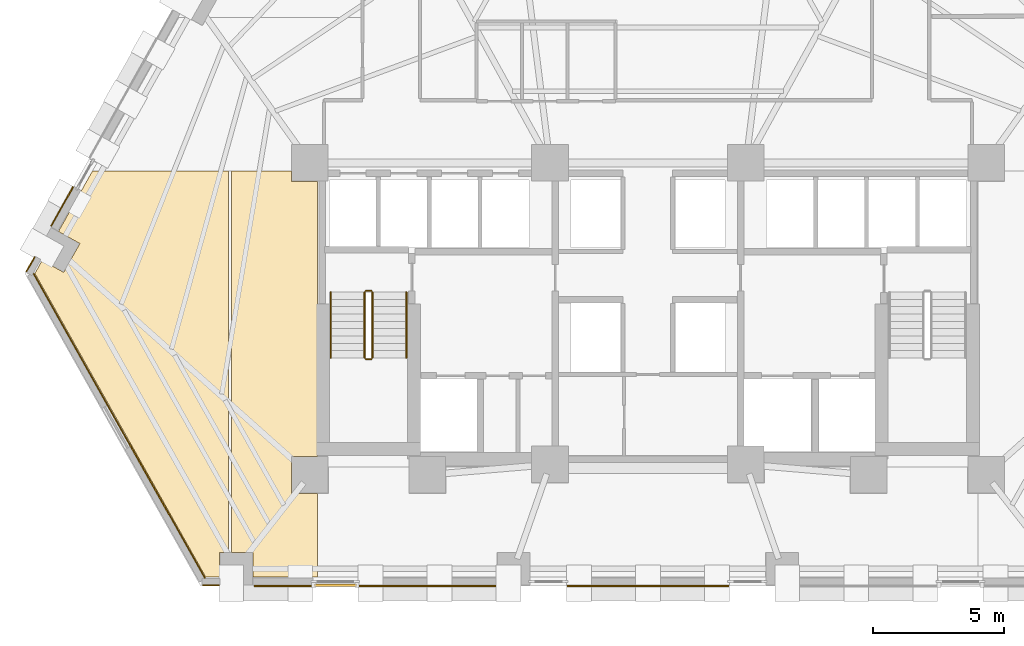
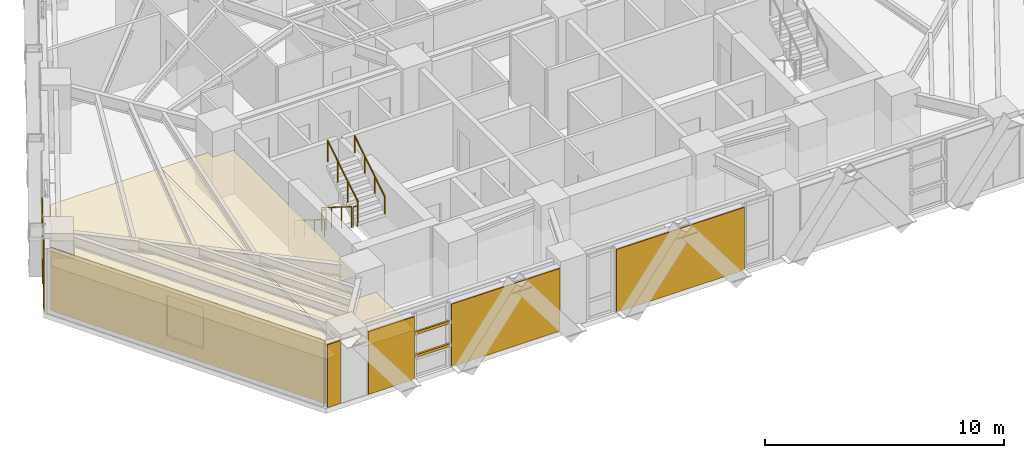
# One storey, part 10 of 13: 9 coverings, 6 railings, 2 shading devices.
"""IFC4 building model written with IfcOpenShell, lengths in metres."""

from ifc_helpers import new_model, si_unit, direction, frame, origin, origin_2d, place, context, subcontext, project, spatial, polyline, rectangle, circle, outline, extrude, material, layer, layer_set, material_profile, profile_set, type_object, element, save


model = new_model("IFC4")

# Units and contexts
model_context = context("Model", 3, precision=1e-05, world=origin(), true_north=direction((0.0, 1.0)))
body_context = subcontext(model_context, "Body", "Model", "MODEL_VIEW")
ifc_project = project(units=[si_unit("LENGTHUNIT", "METRE"), si_unit("AREAUNIT", "SQUARE_METRE"), si_unit("VOLUMEUNIT", "CUBIC_METRE"), si_unit("PLANEANGLEUNIT", "RADIAN"), si_unit("MASSUNIT", "GRAM", prefix="KILO")], contexts=[model_context])

# Site, building, storey
site_placement = place(None, origin())
site = spatial("IfcSite", under=ifc_project, at=site_placement, CompositionType="ELEMENT")
building_placement = place(site_placement, origin())
building = spatial("IfcBuilding", under=site, at=building_placement, Name="Quenlor Broadcast Tower", CompositionType="ELEMENT")
storey_placement = place(building_placement, frame((0.0, 0.0, 45.10009765625)))
storey = spatial("IfcBuildingStorey", under=building, at=storey_placement, Name="L11", CompositionType="ELEMENT", Elevation=45.10009765625)

# Coverings
ifc_material_1 = material(Name="Acoustic Mineral Fibre Board", Category="other")
ifc_layer_1 = layer(ifc_material_1, 0.02490234375)
ifc_layer_set_1 = layer_set([ifc_layer_1], Name="Acoustic Perforated Mineral Tile Ceiling 25")
covering_type_1 = type_object("IfcCoveringType", Name="Acoustic Perforated Mineral Tile Ceiling 25", PredefinedType="CEILING", material=ifc_layer_set_1)
covering_1_placement = place(storey_placement, frame((0.0, 0.0, 2.224853515625)))
element("IfcCovering", 1, at=covering_1_placement, inside=storey, type_object=covering_type_1, Name="L11 Acoustic Ceiling L11-38-3", PredefinedType="CEILING", context=body_context, shape_type="SweptSolid", body=[
    extrude(outline(polyline([(-13.657958984375, -5.508056640625), (-12.64990234375, -5.508056640625), (-12.64990234375, -16.0419921875), (-13.657958984375, -16.0419921875), (-13.657958984375, -17.4580078125), (-12.64990234375, -17.4580078125), (-12.64990234375, -20.659912109375), (-15.132080078125, -20.659912109375), (-15.132080078125, -19.717041015625), (-15.93994140625, -19.717041015625), (-15.93994140625, -5.1201171875), (-13.657958984375, -5.1201171875), (-13.657958984375, -5.508056640625)])), origin(), (0.0, 0.0, 1.0), 0.025146484375),
])
covering_2_placement = place(storey_placement, frame((0.0, 0.0, 2.224853515625)))
element("IfcCovering", 2, at=covering_2_placement, inside=storey, type_object=covering_type_1, Name="L11 Acoustic Ceiling L11-38-4", PredefinedType="CEILING", context=body_context, shape_type="SweptSolid", body=[
    extrude(outline(polyline([(-16.06005859375, -19.717041015625), (-16.398193359375, -19.717041015625), (-16.398193359375, -20.659912109375), (-16.937255859375, -20.659912109375), (-23.477783203125, -9.031982421875), (-23.196533203125, -8.531982421875), (-22.374755859375, -8.994140625), (-21.754150390625, -7.890625), (-22.575927734375, -7.428466796875), (-21.27734375, -5.1201171875), (-16.06005859375, -5.1201171875), (-16.06005859375, -19.717041015625)])), origin(), (0.0, 0.0, 1.0), 0.025146484375),
])

# Shading devices
ifc_material_2 = material(Name="Architectural Terracotta Ceramic", Category="masonry")
ifc_material_profile = material_profile(ifc_material_2, rectangle(XDim=0.090087890625, YDim=0.139892578125, at=origin_2d()))
ifc_profile_set = profile_set([ifc_material_profile], Name="Architectural Terracotta Ceramic BAG90x140")
shading_device_type = type_object("IfcShadingDeviceType", Name="Copper Terracotta Baguette Solar Screen 140", PredefinedType="USERDEFINED", material=ifc_profile_set)
for number, where, z_axis, x_axis, name in (
    (3, (-11.146484375, -20.98291015625, 1.169921875), (-1.0, 0.0, 0.0), (0.0, -1.0, 0.0), "L11 Terracotta Baguette Screen 1"),
    (4, (-11.146484375, -20.98291015625, 2.33984375), (-1.0, 0.0, 0.0), (0.0, -1.0, 0.0), "L11 Terracotta Baguette Screen 2"),
):
    element("IfcShadingDevice", number, at=place(storey_placement, frame(where, z_axis=z_axis, x_axis=x_axis)), inside=storey, type_object=shading_device_type, Name=name, ObjectType="BAGUETTE", PredefinedType="USERDEFINED", context=body_context, shape_type="SweptSolid", body=[
        extrude(rectangle(XDim=0.090087890625, YDim=0.139892578125, at=origin_2d()), origin(), (0.0, 0.0, 1.0), 1.6484375),
    ])

# Coverings
ifc_material_3 = material(Name="Architectural Terracotta Ceramic", Category="masonry")
ifc_layer_2 = layer(ifc_material_3, 0.044921875)
ifc_layer_set_2 = layer_set([ifc_layer_2], Name="Fluted Terracotta Rainscreen Cladding Panel")
covering_type_2 = type_object("IfcCoveringType", Name="Fluted Terracotta Rainscreen Cladding Panel", PredefinedType="CLADDING", material=ifc_layer_set_2)
covering_3_placement = place(storey_placement, frame((0.0, 0.0, 0.02001953125)))
element("IfcCovering", 5, at=covering_3_placement, inside=storey, type_object=covering_type_2, Name="L11 Terracotta Rainscreen Cladding L11-SHD-SS1", PredefinedType="CLADDING", context=body_context, shape_type="SweptSolid", body=[
    extrude(outline(polyline([(-16.425048828125, -20.951904296875), (-17.0458984375, -20.951904296875), (-17.0458984375, -20.9970703125), (-16.425048828125, -20.9970703125), (-16.425048828125, -20.951904296875)])), origin(), (0.0, 0.0, 1.0), 3.2099609375),
])
covering_4_placement = place(storey_placement, frame((0.0, 0.0, 0.02001953125)))
element("IfcCovering", 6, at=covering_4_placement, inside=storey, type_object=covering_type_2, Name="L11 Terracotta Rainscreen Cladding L11-SC-SP1", PredefinedType="CLADDING", context=body_context, shape_type="SweptSolid", body=[
    extrude(outline(polyline([(-5.82080078125, -20.98193359375), (-11.07666015625, -20.98193359375), (-11.07666015625, -21.027099609375), (-5.82080078125, -21.027099609375), (-5.82080078125, -20.98193359375)])), origin(), (0.0, 0.0, 1.0), 3.2099609375),
])
covering_5_placement = place(storey_placement, frame((0.0, 0.0, 0.02001953125)))
element("IfcCovering", 7, at=covering_5_placement, inside=storey, type_object=covering_type_2, Name="L11 Terracotta Rainscreen Cladding L11-SC-SP2", PredefinedType="CLADDING", context=body_context, shape_type="SweptSolid", body=[
    extrude(outline(polyline([(-12.864990234375, -20.98193359375), (-15.085205078125, -20.98193359375), (-15.085205078125, -21.027099609375), (-12.864990234375, -21.027099609375), (-12.864990234375, -20.98193359375)])), origin(), (0.0, 0.0, 1.0), 3.2099609375),
])
covering_6_placement = place(storey_placement, frame((0.0, 0.0, 0.02001953125)))
element("IfcCovering", 8, at=covering_6_placement, inside=storey, type_object=covering_type_2, Name="L11 Terracotta Rainscreen Cladding L11-S-SP1", PredefinedType="CLADDING", context=body_context, shape_type="SweptSolid", body=[
    extrude(outline(polyline([(3.09619140625, -20.98193359375), (-3.09619140625, -20.98193359375), (-3.09619140625, -21.027099609375), (3.09619140625, -21.027099609375), (3.09619140625, -20.98193359375)])), origin(), (0.0, 0.0, 1.0), 3.2099609375),
])
covering_7_placement = place(storey_placement, frame((0.0, 0.0, 0.02001953125)))
element("IfcCovering", 9, at=covering_7_placement, inside=storey, type_object=covering_type_2, Name="L11 Terracotta Rainscreen Cladding L11-SHD-NWS0", PredefinedType="CLADDING", context=body_context, shape_type="SweptSolid", body=[
    extrude(outline(polyline([(-23.781982421875, -8.97705078125), (-23.464111328125, -8.412109375), (-23.50341796875, -8.39013671875), (-23.8212890625, -8.955078125), (-23.781982421875, -8.97705078125)])), origin(), (0.0, 0.0, 1.0), 3.2099609375),
])
covering_8_placement = place(storey_placement, frame((0.0, 0.0, 0.02001953125)))
element("IfcCovering", 10, at=covering_8_placement, inside=storey, type_object=covering_type_2, Name="L11 Terracotta Rainscreen Cladding L11-NWA-SP1", PredefinedType="CLADDING", context=body_context, shape_type="SweptSolid", body=[
    extrude(outline(polyline([(-22.83349609375, -7.2294921875), (-21.988525390625, -5.727294921875), (-22.027587890625, -5.705322265625), (-22.872802734375, -7.20751953125), (-22.83349609375, -7.2294921875)])), origin(), (0.0, 0.0, 1.0), 3.2099609375),
])
covering_9_placement = place(storey_placement, frame((0.0, 0.0, 0.02001953125)))
element("IfcCovering", 11, at=covering_9_placement, inside=storey, type_object=covering_type_2, Name="L11 Terracotta Rainscreen Cladding L11-CNR-04", PredefinedType="CLADDING", context=body_context, shape_type="SweptSolid", body=[
    extrude(outline(polyline([(-23.547607421875, -9.046875), (-16.98388671875, -20.71533203125), (-16.94482421875, -20.693359375), (-23.50830078125, -9.02490234375), (-23.547607421875, -9.046875)])), origin(), (0.0, 0.0, 1.0), 3.2099609375),
])

# Railings
ifc_material_4 = material(Name="Anodised Aluminium", Category="aluminium")
railing_type_1 = type_object("IfcRailingType", Name="Stainless Aluminium Wall Handrail 900", PredefinedType="HANDRAIL", material=ifc_material_4)
railing_1_placement = place(storey_placement, frame((-12.14990234375, -9.75, 0.1748046875)))
element("IfcRailing", 12, at=railing_1_placement, inside=storey, type_object=railing_type_1, Name="L11 ST-1 stair handrail 1", PredefinedType="HANDRAIL", context=body_context, shape_type="SweptSolid", body=[
    extrude(circle(Radius=0.02392578125, at=origin_2d()), frame((0.0, 0.0, 0.8759765625), z_axis=(0.0, -0.847970611238, 0.530043245855), x_axis=(1.0, 0.0, 0.0)), (0.0, 0.0, 1.0), 2.971923828125),
    extrude(circle(Radius=0.02099609375, at=origin_2d()), origin(), (0.0, 0.0, 1.0), 0.851806640625),
    extrude(circle(Radius=0.02099609375, at=origin_2d()), frame((0.0, -0.840087890625, 0.525146484375)), (0.0, 0.0, 1.0), 0.851806640625),
    extrude(circle(Radius=0.02099609375, at=origin_2d()), frame((0.0, -1.679931640625, 1.050048828125)), (0.0, 0.0, 1.0), 0.851806640625),
    extrude(circle(Radius=0.02099609375, at=origin_2d()), frame((0.0, -2.52001953125, 1.5751953125)), (0.0, 0.0, 1.0), 0.851806640625),
])
railing_2_placement = place(storey_placement, frame((-9.25, -12.27001953125, 1.9248046875)))
element("IfcRailing", 13, at=railing_2_placement, inside=storey, type_object=railing_type_1, Name="L11 ST-1 stair handrail 2", PredefinedType="HANDRAIL", context=body_context, shape_type="SweptSolid", body=[
    extrude(circle(Radius=0.02392578125, at=origin_2d()), frame((0.0, 0.0, 0.8759765625), z_axis=(0.0, 0.847970611238, 0.530043245855), x_axis=(-1.0, 0.0, 0.0)), (0.0, 0.0, 1.0), 2.971923828125),
    extrude(circle(Radius=0.02099609375, at=origin_2d()), origin(), (0.0, 0.0, 1.0), 0.851806640625),
    extrude(circle(Radius=0.02099609375, at=origin_2d()), frame((0.0, 0.840087890625, 0.525146484375)), (0.0, 0.0, 1.0), 0.851806640625),
    extrude(circle(Radius=0.02099609375, at=origin_2d()), frame((0.0, 1.679931640625, 1.050048828125)), (0.0, 0.0, 1.0), 0.851806640625),
    extrude(circle(Radius=0.02099609375, at=origin_2d()), frame((0.0, 2.52001953125, 1.5751953125)), (0.0, 0.0, 1.0), 0.851806640625),
])
ifc_material_5 = material(Name="Steel S355", Category="steel")
railing_type_2 = type_object("IfcRailingType", Name="Tubular Steel S355 Stair Guardrail 1100", PredefinedType="BALUSTRADE", material=ifc_material_5)
railing_3_placement = place(storey_placement, frame((-10.85009765625, -9.75, 0.1748046875)))
element("IfcRailing", 14, at=railing_3_placement, inside=storey, type_object=railing_type_2, Name="L11 ST-1 stair guard 1", PredefinedType="BALUSTRADE", context=body_context, shape_type="SweptSolid", body=[
    extrude(circle(Radius=0.02392578125, at=origin_2d()), frame((0.0, 0.0, 1.076171875), z_axis=(0.0, -0.847970611238, 0.530043245855), x_axis=(1.0, 0.0, 0.0)), (0.0, 0.0, 1.0), 2.971923828125),
    extrude(circle(Radius=0.02099609375, at=origin_2d()), origin(), (0.0, 0.0, 1.0), 1.052001953125),
    extrude(circle(Radius=0.02099609375, at=origin_2d()), frame((0.0, -0.840087890625, 0.525146484375)), (0.0, 0.0, 1.0), 1.052001953125),
    extrude(circle(Radius=0.02099609375, at=origin_2d()), frame((0.0, -1.679931640625, 1.050048828125)), (0.0, 0.0, 1.0), 1.052001953125),
    extrude(circle(Radius=0.02099609375, at=origin_2d()), frame((0.0, -2.52001953125, 1.5751953125)), (0.0, 0.0, 1.0), 1.052001953125),
])
railing_4_placement = place(storey_placement, frame((-10.800048828125, -12.320068359375, 1.75)))
element("IfcRailing", 15, at=railing_4_placement, inside=storey, type_object=railing_type_2, Name="L11 ST-1 stair guard 2", PredefinedType="BALUSTRADE", context=body_context, shape_type="SweptSolid", body=[
    extrude(circle(Radius=0.02392578125, at=origin_2d()), frame((0.0, 0.0, 1.076171875), z_axis=(1.0, 0.0, 0.0), x_axis=(0.0, 1.0, 0.0)), (0.0, 0.0, 1.0), 0.199951171875),
    extrude(circle(Radius=0.02099609375, at=origin_2d()), origin(), (0.0, 0.0, 1.0), 1.052001953125),
    extrude(circle(Radius=0.02099609375, at=origin_2d()), frame((0.199951171875, 0.0, 0.0)), (0.0, 0.0, 1.0), 1.052001953125),
])
railing_5_placement = place(storey_placement, frame((-10.550048828125, -12.27001953125, 1.9248046875)))
element("IfcRailing", 16, at=railing_5_placement, inside=storey, type_object=railing_type_2, Name="L11 ST-1 stair guard 3", PredefinedType="BALUSTRADE", context=body_context, shape_type="SweptSolid", body=[
    extrude(circle(Radius=0.02392578125, at=origin_2d()), frame((0.0, 0.0, 1.076171875), z_axis=(0.0, 0.847970611238, 0.530043245855), x_axis=(-1.0, 0.0, 0.0)), (0.0, 0.0, 1.0), 2.971923828125),
    extrude(circle(Radius=0.02099609375, at=origin_2d()), origin(), (0.0, 0.0, 1.0), 1.052001953125),
    extrude(circle(Radius=0.02099609375, at=origin_2d()), frame((0.0, 0.840087890625, 0.525146484375)), (0.0, 0.0, 1.0), 1.052001953125),
    extrude(circle(Radius=0.02099609375, at=origin_2d()), frame((0.0, 1.679931640625, 1.050048828125)), (0.0, 0.0, 1.0), 1.052001953125),
    extrude(circle(Radius=0.02099609375, at=origin_2d()), frame((0.0, 2.52001953125, 1.5751953125)), (0.0, 0.0, 1.0), 1.052001953125),
])
railing_6_placement = place(storey_placement, frame((-10.800048828125, -9.699951171875, 0.0)))
element("IfcRailing", 17, at=railing_6_placement, inside=storey, type_object=railing_type_2, Name="L11 ST-1 stair guard 4", PredefinedType="BALUSTRADE", context=body_context, shape_type="SweptSolid", body=[
    extrude(circle(Radius=0.02392578125, at=origin_2d()), frame((0.0, 0.0, 1.076171875), z_axis=(1.0, 0.0, 0.0), x_axis=(0.0, 1.0, 0.0)), (0.0, 0.0, 1.0), 0.199951171875),
    extrude(circle(Radius=0.02099609375, at=origin_2d()), origin(), (0.0, 0.0, 1.0), 1.052001953125),
    extrude(circle(Radius=0.02099609375, at=origin_2d()), frame((0.199951171875, 0.0, 0.0)), (0.0, 0.0, 1.0), 1.052001953125),
])

save(model, "model.ifc")
